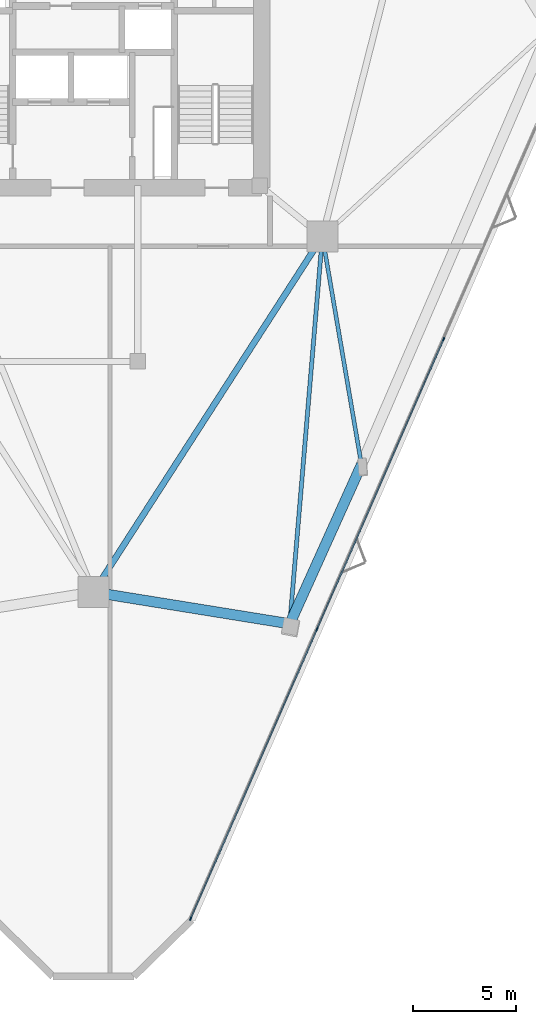
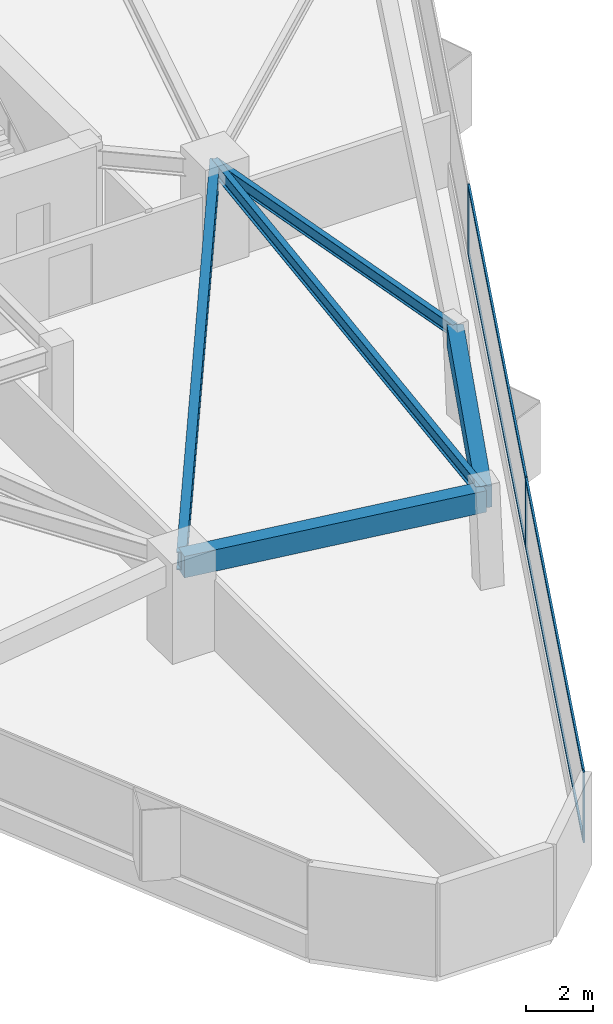
# One storey, part 3 of 14: 7 members, 5 beams, 1 element without a shape of its own.
"""IFC4 building model written with IfcOpenShell, lengths in metres."""

from ifc_helpers import new_model, si_unit, direction, frame, origin, origin_2d, place, context, subcontext, project, spatial, rectangle, i_section, extrude, material, layer, layer_set, material_profile, profile_set, type_object, element, aggregate, save


model = new_model("IFC4")

# Units and contexts
model_context = context("Model", 3, precision=1e-05, world=origin(), true_north=direction((0.0, 1.0)))
body_context = subcontext(model_context, "Body", "Model", "MODEL_VIEW")
ifc_project = project(units=[si_unit("LENGTHUNIT", "METRE"), si_unit("AREAUNIT", "SQUARE_METRE"), si_unit("VOLUMEUNIT", "CUBIC_METRE"), si_unit("PLANEANGLEUNIT", "RADIAN"), si_unit("MASSUNIT", "GRAM", prefix="KILO")], contexts=[model_context])

# Site, building, storey
site_placement = place(None, origin())
site = spatial("IfcSite", under=ifc_project, at=site_placement, CompositionType="ELEMENT")
building_placement = place(site_placement, origin())
building = spatial("IfcBuilding", under=site, at=building_placement, Name="Talyreon Biosciences Tower", CompositionType="ELEMENT")
storey_placement = place(building_placement, frame((0.0, 0.0, 130.85009765625)))
storey = spatial("IfcBuildingStorey", under=building, at=storey_placement, Name="L34", CompositionType="ELEMENT", Elevation=130.85009765625)

# Curtain wall, members
ifc_material_1 = material(Name="Thermally broken aluminium and low-E glazing", Category="aluminium")
ifc_layer = layer(ifc_material_1, 0.18505859375)
ifc_layer_set = layer_set([ifc_layer], Name="Thermally broken aluminium and low-E glazing")
curtain_wall_type = type_object("IfcCurtainWallType", Name="CurtainWall_Zone3Bioprocess", PredefinedType="NOTDEFINED", material=ifc_layer_set)
curtain_wall_placement = place(storey_placement, origin())
curtain_wall = element("IfcCurtainWall", 1, at=curtain_wall_placement, inside=storey, type_object=curtain_wall_type, Name="L34 Unitised Curtain Wall FCW-L34-08", PredefinedType="NOTDEFINED")
ifc_material_2 = material(Name="Anodised thermally broken aluminium", Category="aluminium")
ifc_material_profile_1 = material_profile(ifc_material_2, rectangle(XDim=0.06494140625, YDim=0.179931640625, at=origin_2d()), Name="ALUM MULLION 65x180")
ifc_profile_set_1 = profile_set([ifc_material_profile_1], Name="Anodised thermally broken aluminium")
member_type_1 = type_object("IfcMemberType", Name="CWMullion_65x180", PredefinedType="MULLION", material=ifc_profile_set_1)
member_1_placement = place(storey_placement, frame((82.953857421875, 53.914794921875, 0.809814453125), z_axis=(0.0, 0.0, 1.0), x_axis=(0.916489607057, -0.400058495919, 0.0)))
member_1 = element("IfcMember", 2, at=member_1_placement, type_object=member_type_1, Name="CW4 mullion 3", PredefinedType="MULLION", context=body_context, shape_type="SweptSolid", body=[
    extrude(rectangle(XDim=0.06494140625, YDim=0.179931640625, at=origin_2d()), origin(), (0.0, 0.0, 1.0), 2.565185546875),
])
member_2_placement = place(storey_placement, frame((76.8232421875, 39.869873046875, 0.809814453125), z_axis=(0.0, 0.0, 1.0), x_axis=(0.916489607057, -0.400058495919, 0.0)))
member_2 = element("IfcMember", 3, at=member_2_placement, type_object=member_type_1, Name="CW4 mullion 4", PredefinedType="MULLION", context=body_context, shape_type="SweptSolid", body=[
    extrude(rectangle(XDim=0.06494140625, YDim=0.179931640625, at=origin_2d()), origin(), (0.0, 0.0, 1.0), 2.565185546875),
])
member_3_placement = place(storey_placement, frame((70.705322265625, 25.854736328125, 0.809814453125), z_axis=(0.0, 0.0, 1.0), x_axis=(0.916489607057, -0.400058495919, 0.0)))
member_3 = element("IfcMember", 4, at=member_3_placement, type_object=member_type_1, Name="CW4 mullion 5", PredefinedType="MULLION", context=body_context, shape_type="SweptSolid", body=[
    extrude(rectangle(XDim=0.06494140625, YDim=0.179931640625, at=origin_2d()), origin(), (0.0, 0.0, 1.0), 2.565185546875),
])
ifc_material_profile_2 = material_profile(ifc_material_2, rectangle(XDim=0.06494140625, YDim=0.139892578125, at=origin_2d()), Name="ALUM TRANSOM 65x140")
ifc_profile_set_2 = profile_set([ifc_material_profile_2], Name="Anodised thermally broken aluminium")
member_type_2 = type_object("IfcMemberType", Name="CWTransom_65x140", PredefinedType="USERDEFINED", material=ifc_profile_set_2)
member_4_placement = place(storey_placement, frame((82.94091796875, 53.885009765625, 0.84228515625), z_axis=(-0.400056615307, -0.916490427964, 0.0), x_axis=(0.916490427964, -0.400056615307, 0.0)))
member_4 = element("IfcMember", 5, at=member_4_placement, type_object=member_type_2, Name="CW4 transom 3.1", ObjectType="TRANSOM", PredefinedType="USERDEFINED", context=body_context, shape_type="SweptSolid", body=[
    extrude(rectangle(XDim=0.06494140625, YDim=0.139892578125, at=origin_2d()), origin(), (0.0, 0.0, 1.0), 15.259765625),
])
member_5_placement = place(storey_placement, frame((82.94091796875, 53.885009765625, 3.34228515625), z_axis=(-0.400056615307, -0.916490427964, 0.0), x_axis=(0.916490427964, -0.400056615307, 0.0)))
member_5 = element("IfcMember", 6, at=member_5_placement, type_object=member_type_2, Name="CW4 transom 3.2", ObjectType="TRANSOM", PredefinedType="USERDEFINED", context=body_context, shape_type="SweptSolid", body=[
    extrude(rectangle(XDim=0.06494140625, YDim=0.139892578125, at=origin_2d()), origin(), (0.0, 0.0, 1.0), 15.259765625),
])
member_6_placement = place(storey_placement, frame((76.81005859375, 39.840087890625, 0.84228515625), z_axis=(-0.400046570574, -0.916494812518, 0.0), x_axis=(0.916494812518, -0.400046570574, 0.0)))
member_6 = element("IfcMember", 7, at=member_6_placement, type_object=member_type_2, Name="CW4 transom 4.1", ObjectType="TRANSOM", PredefinedType="USERDEFINED", context=body_context, shape_type="SweptSolid", body=[
    extrude(rectangle(XDim=0.06494140625, YDim=0.139892578125, at=origin_2d()), origin(), (0.0, 0.0, 1.0), 15.22705078125),
])
member_7_placement = place(storey_placement, frame((76.81005859375, 39.840087890625, 3.34228515625), z_axis=(-0.400046570574, -0.916494812518, 0.0), x_axis=(0.916494812518, -0.400046570574, 0.0)))
member_7 = element("IfcMember", 8, at=member_7_placement, type_object=member_type_2, Name="CW4 transom 4.2", ObjectType="TRANSOM", PredefinedType="USERDEFINED", context=body_context, shape_type="SweptSolid", body=[
    extrude(rectangle(XDim=0.06494140625, YDim=0.139892578125, at=origin_2d()), origin(), (0.0, 0.0, 1.0), 15.22705078125),
])
aggregate(curtain_wall, [member_1, member_2, member_3, member_4, member_5, member_6, member_7])

# Beams
ifc_material_3 = material(Name="Precast concrete C45/55", Category="concrete")
ifc_material_profile_3 = material_profile(ifc_material_3, rectangle(XDim=0.5, YDim=0.780029296875, at=origin_2d()), Name="RCB 500x780")
ifc_profile_set_3 = profile_set([ifc_material_profile_3], Name="Precast concrete C45/55")
beam_type_1 = type_object("IfcBeamType", Name="ExpressedSpandrel_500x780", PredefinedType="SPANDREL", material=ifc_profile_set_3)
beam_1_placement = place(storey_placement, frame((66.0, 41.6669921875, 2.98486328125), z_axis=(0.987244334547, -0.159212511773, 0.0), x_axis=(0.159212511773, 0.987244334547, 0.0)))
element("IfcBeam", 9, at=beam_1_placement, inside=storey, type_object=beam_type_1, Name="L34 Expressed Horizontal Concrete Spandrel 01", PredefinedType="SPANDREL", context=body_context, shape_type="SweptSolid", body=[
    extrude(rectangle(XDim=0.5, YDim=0.780029296875, at=origin_2d()), origin(), (0.0, 0.0, 1.0), 9.6298828125),
])
beam_2_placement = place(storey_placement, frame((75.507080078125, 40.1337890625, 2.98486328125), z_axis=(0.410758537874, 0.911744165632, 0.0), x_axis=(-0.911744165632, 0.410758537874, 0.0)))
element("IfcBeam", 10, at=beam_2_placement, inside=storey, type_object=beam_type_1, Name="L34 Expressed Horizontal Concrete Spandrel 02", PredefinedType="SPANDREL", context=body_context, shape_type="SweptSolid", body=[
    extrude(rectangle(XDim=0.5, YDim=0.780029296875, at=origin_2d()), origin(), (0.0, 0.0, 1.0), 8.453125),
])
ifc_material_4 = material(Name="Steel SM355", Category="steel")
ifc_material_profile_4 = material_profile(ifc_material_4, i_section(OverallWidth=0.300048828125, OverallDepth=0.64990234375, WebThickness=0.01611328125, FlangeThickness=0.031005859375, FilletRadius=0.027099609375, at=origin_2d()), Name="HE650B")
ifc_profile_set_4 = profile_set([ifc_material_profile_4], Name="Steel SM355")
beam_type_2 = type_object("IfcBeamType", Name="SteelBeam_HE650B", PredefinedType="BEAM", material=ifc_profile_set_4)
beam_3_placement = place(storey_placement, frame((66.0, 41.6669921875, 3.0498046875), z_axis=(0.541463723609, 0.840724114092, 0.0), x_axis=(-0.840724114092, 0.541463723609, 0.0)))
element("IfcBeam", 11, at=beam_3_placement, inside=storey, type_object=beam_type_2, Name="L34 Mega-Ring Girder 1", PredefinedType="BEAM", context=body_context, shape_type="SweptSolid", body=[
    extrude(i_section(OverallWidth=0.300048828125, OverallDepth=0.64990234375, WebThickness=0.01611328125, FlangeThickness=0.031005859375, FilletRadius=0.027099609375, at=origin_2d()), origin(), (0.0, 0.0, 1.0), 20.474365234375),
])
ifc_material_profile_5 = material_profile(ifc_material_4, i_section(OverallWidth=0.18994140625, OverallDepth=0.449951171875, WebThickness=0.009521484375, FlangeThickness=0.0146484375, FilletRadius=0.02099609375, at=origin_2d()), Name="IPE450")
ifc_profile_set_5 = profile_set([ifc_material_profile_5], Name="Steel SM355")
beam_type_3 = type_object("IfcBeamType", Name="SteelJoist_IPE450", PredefinedType="JOIST", material=ifc_profile_set_5)
beam_4_placement = place(storey_placement, frame((77.086181640625, 58.88037109375, 3.14990234375), z_axis=(0.169013424096, -0.985613749131, 0.0), x_axis=(0.985613749131, 0.169013424096, 0.0)))
element("IfcBeam", 12, at=beam_4_placement, inside=storey, type_object=beam_type_3, Name="L34 Radial Composite Floor Joist PL-SE", PredefinedType="JOIST", context=body_context, shape_type="SweptSolid", body=[
    extrude(i_section(OverallWidth=0.18994140625, OverallDepth=0.449951171875, WebThickness=0.009521484375, FlangeThickness=0.0146484375, FilletRadius=0.02099609375, at=origin_2d()), origin(), (0.0, 0.0, 1.0), 11.20068359375),
])
ifc_material_profile_6 = material_profile(ifc_material_4, i_section(OverallWidth=0.199951171875, OverallDepth=0.5, WebThickness=0.01025390625, FlangeThickness=0.01611328125, FilletRadius=0.02099609375, at=origin_2d()), Name="IPE500")
ifc_profile_set_6 = profile_set([ifc_material_profile_6], Name="Steel SM355")
beam_type_4 = type_object("IfcBeamType", Name="SteelJoist_IPE500", PredefinedType="JOIST", material=ifc_profile_set_6)
beam_5_placement = place(storey_placement, frame((77.086181640625, 58.88037109375, 3.125), z_axis=(-0.08393684942, -0.996471076002, 0.0), x_axis=(0.996471076002, -0.08393684942, 0.0)))
element("IfcBeam", 13, at=beam_5_placement, inside=storey, type_object=beam_type_4, Name="L34 Radial Composite Floor Joist PC-SE1", PredefinedType="JOIST", context=body_context, shape_type="SweptSolid", body=[
    extrude(i_section(OverallWidth=0.199951171875, OverallDepth=0.5, WebThickness=0.01025390625, FlangeThickness=0.01611328125, FilletRadius=0.02099609375, at=origin_2d()), origin(), (0.0, 0.0, 1.0), 18.81298828125),
])

save(model, "model.ifc")
